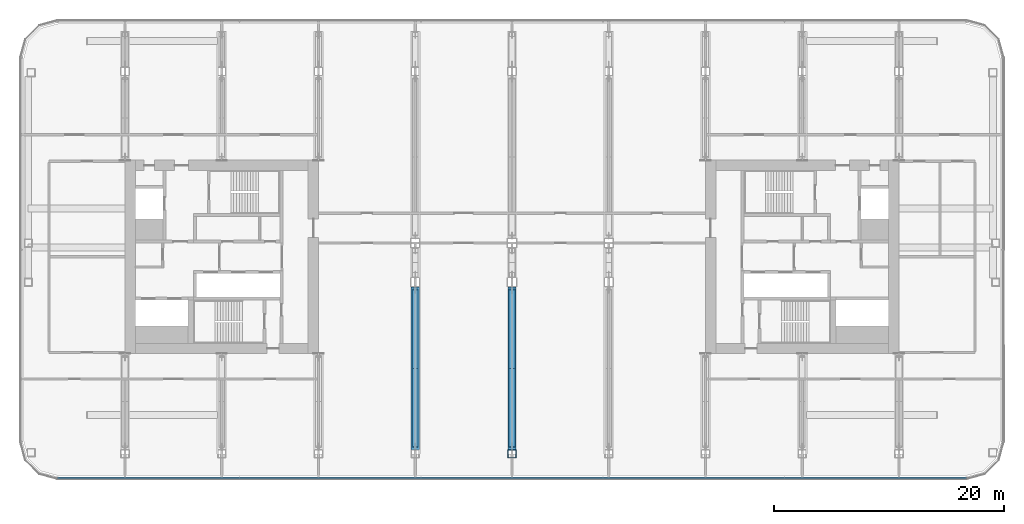
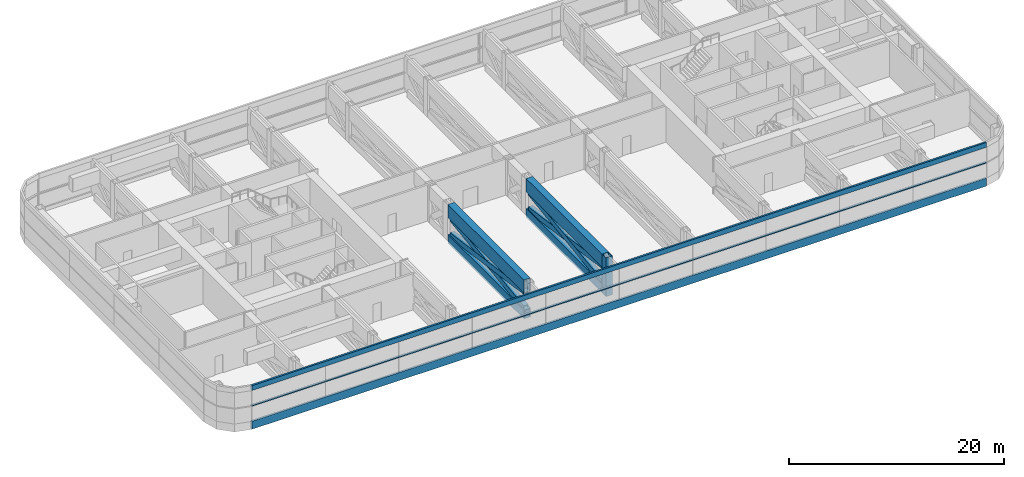
# One storey, part 5 of 33: 12 members, 1 element without a shape of its own.
"""IFC4 building model written with IfcOpenShell, lengths in metres."""

import ifcopenshell
import ifcopenshell.guid

model = None  # the IFC model being written
_history = None  # IfcOwnerHistory: only IFC2X3 demands one
_inside = {}  # id of a spatial element -> (the spatial element, [elements in it])
_under = {}  # id of a project, library or spatial element -> (it, [spatial elements below it])
_declared = {}  # id of a project -> (the project, [libraries it declares])
_typed = {}  # id of a type object -> (the type object, [elements of that type])
_made_of = {}  # id of a material, layer set ... -> (it, [elements and type objects made of it])


def new_model(schema):
    """Start an empty IFC model of exactly this schema.

    Asked for "IFC4X3", IfcOpenShell would pick the latest addendum, in which some entities
    have other attributes; the version numbers below select the first issue.
    IFC2X3 requires an IfcOwnerHistory on every rooted entity: one is made here for all.
    """
    global model, _history
    if schema == "IFC4X3":
        model = ifcopenshell.file(schema_version=(4, 3, 0, 0))
    else:
        model = ifcopenshell.file(schema=schema)
    _inside.clear()
    _under.clear()
    _declared.clear()
    _typed.clear()
    _made_of.clear()
    _history = None
    if model.schema == "IFC2X3":
        org = make("IfcOrganization", Name="unknown")
        user = make(
            "IfcPersonAndOrganization",
            ThePerson=make("IfcPerson", FamilyName="unknown"),
            TheOrganization=org,
        )
        app = make(
            "IfcApplication",
            ApplicationDeveloper=org,
            Version="unknown",
            ApplicationFullName="unknown",
            ApplicationIdentifier="unknown",
        )
        _history = make(
            "IfcOwnerHistory",
            OwningUser=user,
            OwningApplication=app,
            ChangeAction="ADDED",
            CreationDate=0,
        )
    return model


def make(cls, **values):
    """One entity of the class cls with the attributes given. An attribute that is None is left unset."""
    return model.create_entity(
        cls, **{name: value for name, value in values.items() if value is not None}
    )


def rooted(cls, **values):
    """An entity with a GlobalId (a new one), such as an element, a storey or a relation."""
    return make(cls, GlobalId=ifcopenshell.guid.new(), OwnerHistory=_history, **values)


def si_unit(unit_type, name, prefix=None):
    """IfcSIUnit, for example si_unit("LENGTHUNIT", "METRE", prefix="MILLI")."""
    return make("IfcSIUnit", UnitType=unit_type, Prefix=prefix, Name=name)


def assignment(units):
    """IfcUnitAssignment: the units of a project."""
    return None if units is None else make("IfcUnitAssignment", Units=units)


def point(xyz):
    """IfcCartesianPoint."""
    return None if xyz is None else make("IfcCartesianPoint", Coordinates=xyz)


def direction(xyz):
    """IfcDirection."""
    return None if xyz is None else make("IfcDirection", DirectionRatios=xyz)


def frame(location, z_axis=None, x_axis=None):
    """IfcAxis2Placement3D, a coordinate frame: its origin and axes. An axis left out is left unset."""
    return make(
        "IfcAxis2Placement3D",
        Location=point(location),
        Axis=direction(z_axis),
        RefDirection=direction(x_axis),
    )


def frame_2d(location, x_axis=None):
    """IfcAxis2Placement2D, a coordinate frame in the plane: its origin and x axis."""
    return make(
        "IfcAxis2Placement2D", Location=point(location), RefDirection=direction(x_axis)
    )


def origin():
    """The frame at (0, 0, 0) with its axes left unset."""
    return frame((0.0, 0.0, 0.0))


def origin_2d():
    """The frame at (0, 0) in the plane with its x axis left unset."""
    return frame_2d((0.0, 0.0))


def place(relative_to, where):
    """IfcLocalPlacement: puts the frame where relative to a parent placement (None: the world)."""
    return make(
        "IfcLocalPlacement", PlacementRelTo=relative_to, RelativePlacement=where
    )


def context(
    kind, dimensions, precision=None, world=None, true_north=None, identifier=None
):
    """IfcGeometricRepresentationContext, for example the 3D "Model" context."""
    return make(
        "IfcGeometricRepresentationContext",
        ContextIdentifier=identifier,
        ContextType=kind,
        CoordinateSpaceDimension=dimensions,
        Precision=precision,
        WorldCoordinateSystem=world,
        TrueNorth=true_north,
    )


def subcontext(parent, identifier, kind, view, scale=None):
    """IfcGeometricRepresentationSubContext, for example "Body" below "Model"."""
    return make(
        "IfcGeometricRepresentationSubContext",
        ContextIdentifier=identifier,
        ContextType=kind,
        ParentContext=parent,
        TargetScale=scale,
        TargetView=view,
    )


def project(units=None, contexts=None):
    """IfcProject with its units and contexts."""
    return rooted(
        "IfcProject",
        Name="project",
        RepresentationContexts=contexts,
        UnitsInContext=assignment(units),
    )


def spatial(cls, under=None, at=None, **own):
    """A site, building, storey or space (cls), placed at a placement, below another one or the project."""
    s = rooted(cls, ObjectPlacement=at, **own)
    if under is not None:
        _under.setdefault(under.id(), (under, []))[1].append(s)
    return s


def profile(cls, at=None, kind="AREA", **sizes):
    """A parametric profile (cls). Its sizes go by their IFC names, for example OverallWidth=200.0."""
    return make(cls, ProfileType=kind, Position=at, **sizes)


def rectangle(**sizes):
    """IfcRectangleProfileDef."""
    return profile("IfcRectangleProfileDef", **sizes)


def hollow_rectangle(**sizes):
    """IfcRectangleHollowProfileDef."""
    return profile("IfcRectangleHollowProfileDef", **sizes)


def extrude(swept, where, along, depth):
    """IfcExtrudedAreaSolid: the profile swept, set in the frame where, extruded along a direction by depth."""
    return make(
        "IfcExtrudedAreaSolid",
        SweptArea=swept,
        Position=where,
        ExtrudedDirection=direction(along),
        Depth=depth,
    )


def shape(context_of_items, identifier, shape_type, items):
    """IfcShapeRepresentation: the items that make up one representation, for example the "Body"."""
    return make(
        "IfcShapeRepresentation",
        ContextOfItems=context_of_items,
        RepresentationIdentifier=identifier,
        RepresentationType=shape_type,
        Items=items,
    )


def material(Name=None, Category=None):
    """IfcMaterial."""
    return make("IfcMaterial", Name=Name, Category=Category)


def layer(
    of_material, thickness, ventilated=None, Name=None, Category=None, Priority=None
):
    """IfcMaterialLayer: one layer of a wall or slab, of a material (None: an air gap)."""
    return make(
        "IfcMaterialLayer",
        Material=of_material,
        LayerThickness=thickness,
        IsVentilated=ventilated,
        Name=Name,
        Category=Category,
        Priority=Priority,
    )


def layer_set(layers, Name=None):
    """IfcMaterialLayerSet."""
    return make("IfcMaterialLayerSet", MaterialLayers=layers, LayerSetName=Name)


def material_profile(
    of_material, cross_section, Name=None, Category=None, Priority=None
):
    """IfcMaterialProfile: a cross section and its material."""
    return make(
        "IfcMaterialProfile",
        Name=Name,
        Material=of_material,
        Profile=cross_section,
        Priority=Priority,
        Category=Category,
    )


def profile_set(profiles, Name=None, composite=None):
    """IfcMaterialProfileSet."""
    return make(
        "IfcMaterialProfileSet",
        Name=Name,
        MaterialProfiles=profiles,
        CompositeProfile=composite,
    )


def made_of(thing, what):
    """Note that an element or type object is made of a material, layer set ...; save() writes the relation."""
    if what is not None:
        _made_of.setdefault(what.id(), (what, []))[1].append(thing)
    return thing


def type_object(cls, material=None, **own):
    """A type object (cls), such as IfcWallType, which elements share."""
    return made_of(rooted(cls, **own), material)


def element(
    cls,
    number,
    at=None,
    inside=None,
    cuts=None,
    type_object=None,
    material=None,
    context=None,
    identifier="Body",
    shape_type=None,
    held_by="IfcProductDefinitionShape",
    body=None,
    shapes=None,
    **own,
):
    """One element of the class cls, such as IfcWall. Its Tag is "e" and its number.

    at: its placement. inside: the storey or other place that contains it. cuts: it is an
    opening in that element (IfcRelVoidsElement). A single representation is given by context,
    identifier, shape_type and body (its items); several are given by shapes. held_by: the class
    of the entity that holds the representations. save() writes the other relations.
    """
    e = rooted(cls, Tag="e%d" % number, ObjectPlacement=at, **own)
    if body is not None:
        shapes = [shape(context, identifier, shape_type, body)]
    if shapes is not None:
        e.Representation = make(held_by, Representations=shapes)
    if inside is not None:
        _inside.setdefault(inside.id(), (inside, []))[1].append(e)
    if cuts is not None:
        rooted(
            "IfcRelVoidsElement", RelatingBuildingElement=cuts, RelatedOpeningElement=e
        )
    if type_object is not None:
        _typed.setdefault(type_object.id(), (type_object, []))[1].append(e)
    return made_of(e, material)


def aggregate(whole, parts):
    """IfcRelAggregates: a whole, such as a stair, and the parts it consists of."""
    return rooted("IfcRelAggregates", RelatingObject=whole, RelatedObjects=parts)


def save(model, path):
    """Write the relations noted so far, then the file.

    IfcRelAggregates (storeys below a building ...), IfcRelContainedInSpatialStructure (elements
    in a storey), IfcRelDefinesByType, IfcRelAssociatesMaterial and IfcRelDeclares: one each for
    every whole, place, type object, material and project.
    """
    for whole, parts in _under.values():
        aggregate(whole, parts)
    for where, things in _inside.values():
        rooted(
            "IfcRelContainedInSpatialStructure",
            RelatedElements=things,
            RelatingStructure=where,
        )
    for kind, things in _typed.values():
        rooted("IfcRelDefinesByType", RelatedObjects=things, RelatingType=kind)
    for what, things in _made_of.values():
        rooted("IfcRelAssociatesMaterial", RelatedObjects=things, RelatingMaterial=what)
    for by, libraries in _declared.values():
        rooted("IfcRelDeclares", RelatingContext=by, RelatedDefinitions=libraries)
    model.write(path)


model = new_model("IFC4")

# Units and contexts
model_context = context("Model", 3, precision=1e-05, world=origin(), true_north=direction((0.0, 1.0)))
body_context = subcontext(model_context, "Body", "Model", "MODEL_VIEW")
ifc_project = project(units=[si_unit("LENGTHUNIT", "METRE"), si_unit("AREAUNIT", "SQUARE_METRE"), si_unit("VOLUMEUNIT", "CUBIC_METRE"), si_unit("PLANEANGLEUNIT", "RADIAN"), si_unit("MASSUNIT", "GRAM", prefix="KILO")], contexts=[model_context])

# Site, building, storey
site_placement = place(None, origin())
site = spatial("IfcSite", under=ifc_project, at=site_placement, CompositionType="ELEMENT")
building_placement = place(site_placement, origin())
building = spatial("IfcBuilding", under=site, at=building_placement, Name="Hakoniwa Tower and Hamabe Station Hall", CompositionType="ELEMENT")
storey_placement = place(building_placement, frame((0.0, 0.0, 175.800048828125)))
storey = spatial("IfcBuildingStorey", under=building, at=storey_placement, Name="L50", CompositionType="ELEMENT", Elevation=175.800048828125)

# Curtain wall, members
ifc_material_1 = material(Name="Dark low-e laminated glass", Category="glass")
ifc_layer = layer(ifc_material_1, 0.199951171875)
ifc_layer_set = layer_set([ifc_layer], Name="CW-6 PLANT LOUVRE")
curtain_wall_type = type_object("IfcCurtainWallType", Name="CW-6 PLANT LOUVRE", PredefinedType="NOTDEFINED", material=ifc_layer_set)
curtain_wall_placement = place(storey_placement, origin())
curtain_wall = element("IfcCurtainWall", 1, at=curtain_wall_placement, inside=storey, type_object=curtain_wall_type, Name="CW-6 curtain wall", PredefinedType="NOTDEFINED")
ifc_material_2 = material(Name="Aluminium 6063-T5 black anodised", Category="aluminium")
ifc_material_profile_1 = material_profile(ifc_material_2, rectangle(XDim=0.199951171875, YDim=0.550048828125, at=origin_2d()), Name="CW HEAD BAND 550X200")
ifc_profile_set_1 = profile_set([ifc_material_profile_1], Name="Aluminium 6063-T5 black anodised")
member_type_1 = type_object("IfcMemberType", Name="CW HEAD BAND 550X200", PredefinedType="USERDEFINED", material=ifc_profile_set_1)
member_1_placement = place(storey_placement, frame((-39.439453125, -19.199951171875, 4.125), z_axis=(1.0, 0.0, 0.0), x_axis=(0.0, 1.0, 0.0)))
member_1 = element("IfcMember", 2, at=member_1_placement, type_object=member_type_1, Name="CW-6 transom", ObjectType="TRANSOM", PredefinedType="USERDEFINED", context=body_context, shape_type="SweptSolid", body=[
    extrude(rectangle(XDim=0.199951171875, YDim=0.550048828125, at=origin_2d()), origin(), (0.0, 0.0, 1.0), 78.87890625),
])
ifc_material_3 = material(Name="Aluminium 6063-T5 black anodised", Category="aluminium")
ifc_material_profile_2 = material_profile(ifc_material_3, rectangle(XDim=0.199951171875, YDim=0.1201171875, at=origin_2d()), Name="CW MID TRANSOM 120X200")
ifc_profile_set_2 = profile_set([ifc_material_profile_2], Name="Aluminium 6063-T5 black anodised")
member_type_2 = type_object("IfcMemberType", Name="CW MID TRANSOM 120X200", PredefinedType="USERDEFINED", material=ifc_profile_set_2)
member_2_placement = place(storey_placement, frame((-39.439453125, -19.199951171875, 2.099853515625), z_axis=(1.0, 0.0, 0.0), x_axis=(0.0, 1.0, 0.0)))
member_2 = element("IfcMember", 3, at=member_2_placement, type_object=member_type_2, Name="CW-6 transom", ObjectType="TRANSOM", PredefinedType="USERDEFINED", context=body_context, shape_type="SweptSolid", body=[
    extrude(rectangle(XDim=0.199951171875, YDim=0.1201171875, at=origin_2d()), origin(), (0.0, 0.0, 1.0), 78.87890625),
])
ifc_material_4 = material(Name="Aluminium 6063-T5 black anodised", Category="aluminium")
ifc_material_profile_3 = material_profile(ifc_material_4, rectangle(XDim=0.199951171875, YDim=0.89990234375, at=origin_2d()), Name="CW SLAB-EDGE BAND 900X200")
ifc_profile_set_3 = profile_set([ifc_material_profile_3], Name="Aluminium 6063-T5 black anodised")
member_type_3 = type_object("IfcMemberType", Name="CW SLAB-EDGE BAND 900X200", PredefinedType="USERDEFINED", material=ifc_profile_set_3)
member_3_placement = place(storey_placement, frame((-39.439453125, -19.199951171875, -0.10009765625), z_axis=(1.0, 0.0, 0.0), x_axis=(0.0, 1.0, 0.0)))
member_3 = element("IfcMember", 4, at=member_3_placement, type_object=member_type_3, Name="CW-6 transom", ObjectType="TRANSOM", PredefinedType="USERDEFINED", context=body_context, shape_type="SweptSolid", body=[
    extrude(rectangle(XDim=0.199951171875, YDim=0.89990234375, at=origin_2d()), origin(), (0.0, 0.0, 1.0), 78.87890625),
])
aggregate(curtain_wall, [member_3, member_2, member_1])

# Members
ifc_material_5 = material(Name="Steel SN490C", Category="steel")
ifc_material_profile_4 = material_profile(ifc_material_5, hollow_rectangle(XDim=0.699951171875, YDim=1.0, WallThickness=0.0400390625, at=origin_2d()), Name="BX-1000x700x40")
ifc_profile_set_4 = profile_set([ifc_material_profile_4], Name="Steel SN490C")
member_type_4 = type_object("IfcMemberType", Name="TRUSS CHORD BX-1000x700x40", PredefinedType="CHORD", material=ifc_profile_set_4)
for number, where, z_axis, x_axis, name in (
    (5, (-8.39990234375, -16.75, 0.199951171875), (0.0, 1.0, 0.0), (-1.0, 0.0, 0.0), "Truss T3-11-BC01"),
    (6, (0.0, -16.75, 0.199951171875), (0.0, 1.0, 0.0), (-1.0, 0.0, 0.0), "Truss T3-12-BC01"),
):
    element("IfcMember", number, at=place(storey_placement, frame(where, z_axis=z_axis, x_axis=x_axis)), inside=storey, type_object=member_type_4, Name=name, PredefinedType="CHORD", context=body_context, shape_type="SweptSolid", body=[
        extrude(hollow_rectangle(XDim=0.699951171875, YDim=1.0, WallThickness=0.0400390625, at=origin_2d()), origin(), (0.0, 0.0, 1.0), 14.14990234375),
    ])
ifc_material_6 = material(Name="Steel SN490C", Category="steel")
ifc_material_profile_5 = material_profile(ifc_material_6, hollow_rectangle(XDim=0.699951171875, YDim=1.5, WallThickness=0.054931640625, at=origin_2d()), Name="BX-1500x700x55")
ifc_profile_set_5 = profile_set([ifc_material_profile_5], Name="Steel SN490C")
member_type_5 = type_object("IfcMemberType", Name="TRUSS CHORD BX-1500x700x55", PredefinedType="CHORD", material=ifc_profile_set_5)
for number, where, z_axis, x_axis, name in (
    (7, (-8.39990234375, -16.75, 3.349853515625), (0.0, 1.0, 0.0), (-1.0, 0.0, 0.0), "Truss T3-11-TC01"),
    (8, (0.0, -16.75, 3.349853515625), (0.0, 1.0, 0.0), (-1.0, 0.0, 0.0), "Truss T3-12-TC01"),
):
    element("IfcMember", number, at=place(storey_placement, frame(where, z_axis=z_axis, x_axis=x_axis)), inside=storey, type_object=member_type_5, Name=name, PredefinedType="CHORD", context=body_context, shape_type="SweptSolid", body=[
        extrude(hollow_rectangle(XDim=0.699951171875, YDim=1.5, WallThickness=0.054931640625, at=origin_2d()), origin(), (0.0, 0.0, 1.0), 14.14990234375),
    ])
ifc_material_7 = material(Name="Steel SN490C", Category="steel")
ifc_material_profile_6 = material_profile(ifc_material_7, hollow_rectangle(XDim=0.5, YDim=0.60009765625, WallThickness=0.028076171875, at=origin_2d()), Name="BX-600x500x28")
ifc_profile_set_6 = profile_set([ifc_material_profile_6], Name="Steel SN490C")
member_type_6 = type_object("IfcMemberType", Name="TRUSS DIAGONAL BX-600x500x28", PredefinedType="BRACE", material=ifc_profile_set_6)
for number, where, z_axis, x_axis, name in (
    (9, (-8.39990234375, -16.5, 0.699951171875), (0.0, 0.990451865298, 0.137858995095), (-1.0, 0.0, 0.0), "Truss T3-11-D01a"),
    (10, (-8.39990234375, -16.5, 2.599853515625), (0.0, 0.990451865298, -0.137858995095), (-1.0, 0.0, 0.0), "Truss T3-11-D01b"),
    (11, (0.0, -16.5, 0.699951171875), (0.0, 0.990451865298, 0.137858995095), (-1.0, 0.0, 0.0), "Truss T3-12-D01a"),
    (12, (0.0, -16.5, 2.599853515625), (0.0, 0.990451865298, -0.137858995095), (-1.0, 0.0, 0.0), "Truss T3-12-D01b"),
):
    element("IfcMember", number, at=place(storey_placement, frame(where, z_axis=z_axis, x_axis=x_axis)), inside=storey, type_object=member_type_6, Name=name, PredefinedType="BRACE", context=body_context, shape_type="SweptSolid", body=[
        extrude(hollow_rectangle(XDim=0.5, YDim=0.60009765625, WallThickness=0.028076171875, at=origin_2d()), origin(), (0.0, 0.0, 1.0), 13.781494140625),
    ])
ifc_material_8 = material(Name="Steel SN490C", Category="steel")
ifc_material_profile_7 = material_profile(ifc_material_8, hollow_rectangle(XDim=0.699951171875, YDim=0.699951171875, WallThickness=0.028076171875, at=origin_2d()), Name="BX-700x700x28")
ifc_profile_set_7 = profile_set([ifc_material_profile_7], Name="Steel SN490C")
member_type_7 = type_object("IfcMemberType", Name="TRUSS POST BX-700x700x28", PredefinedType="POST", material=ifc_profile_set_7)
member_4_placement = place(storey_placement, frame((0.0, -17.10009765625, -0.300048828125), z_axis=(0.0, 0.0, 1.0), x_axis=(1.0, 0.0, 0.0)))
element("IfcMember", 13, at=member_4_placement, inside=storey, type_object=member_type_7, Name="Truss T3-12-P01", PredefinedType="POST", context=body_context, shape_type="SweptSolid", body=[
    extrude(hollow_rectangle(XDim=0.699951171875, YDim=0.699951171875, WallThickness=0.028076171875, at=origin_2d()), origin(), (0.0, 0.0, 1.0), 4.39990234375),
])

save(model, "model.ifc")
